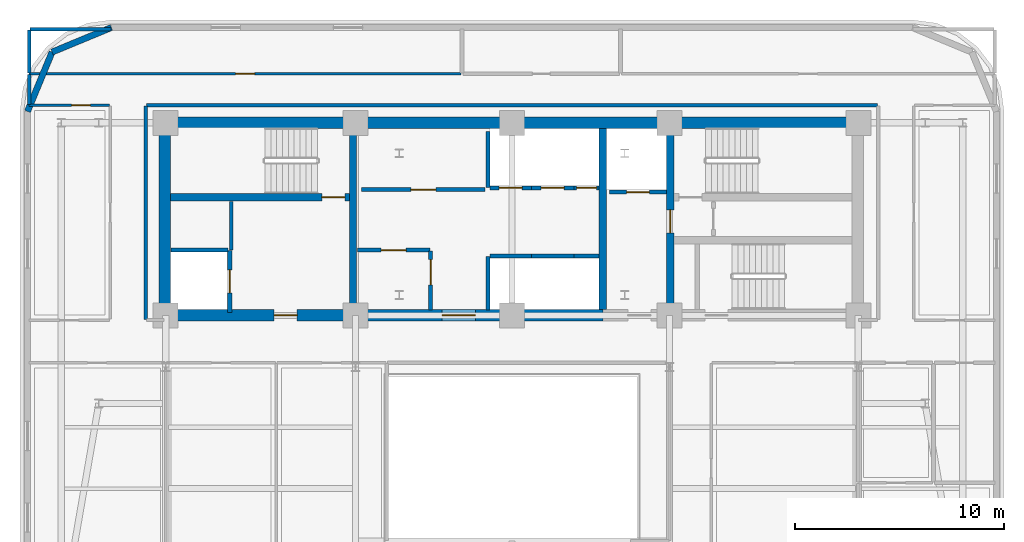
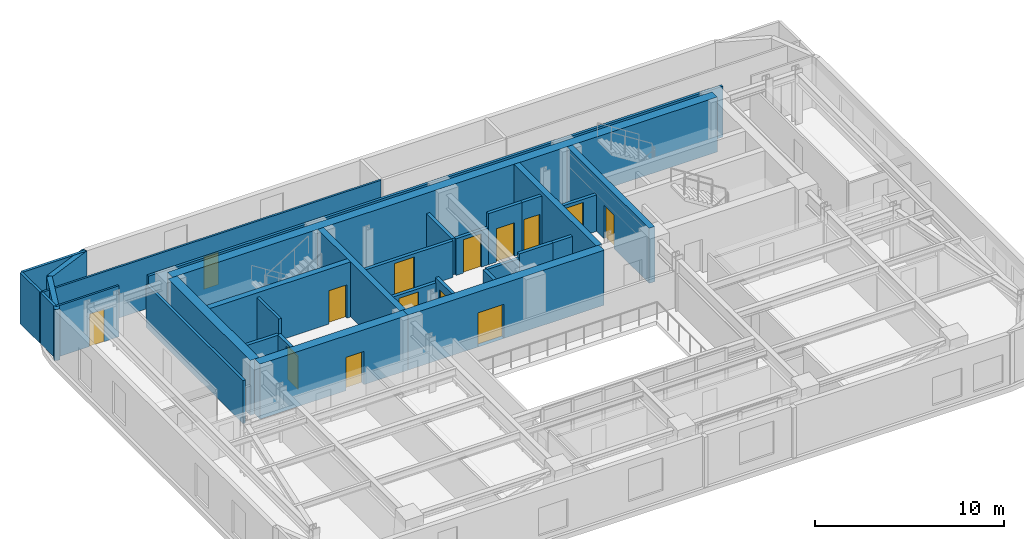
# One storey, part 7 of 12: 32 walls, 14 doors, 14 openings.
"""IFC4 building model written with IfcOpenShell, lengths in metres."""

from ifc_helpers import new_model, si_unit, direction, frame, frame_2d, origin, place, context, subcontext, project, spatial, rectangle, extrude, material, layer, layer_set, type_object, element, fill, save


model = new_model("IFC4")

# Units and contexts
model_context = context("Model", 3, precision=1e-05, world=origin(), true_north=direction((0.0, 1.0)))
body_context = subcontext(model_context, "Body", "Model", "MODEL_VIEW")
ifc_project = project(units=[si_unit("LENGTHUNIT", "METRE"), si_unit("AREAUNIT", "SQUARE_METRE"), si_unit("VOLUMEUNIT", "CUBIC_METRE"), si_unit("PLANEANGLEUNIT", "RADIAN"), si_unit("MASSUNIT", "GRAM", prefix="KILO")], contexts=[model_context])

# Site, building, storey
site_placement = place(None, origin())
site = spatial("IfcSite", under=ifc_project, at=site_placement, CompositionType="ELEMENT")
building_placement = place(site_placement, origin())
building = spatial("IfcBuilding", under=site, at=building_placement, Name="Zarnavel Station Tower", CompositionType="ELEMENT")
storey_placement = place(building_placement, frame((0.0, 0.0, 155.449951171875)))
storey = spatial("IfcBuildingStorey", under=building, at=storey_placement, Name="L42", CompositionType="ELEMENT", Elevation=155.449951171875)

# Walls
ifc_material_1 = material(Name="Concrete C50/60", Category="concrete")
ifc_layer_1 = layer(ifc_material_1, 0.35009765625)
ifc_layer_set_1 = layer_set([ifc_layer_1], Name="CW_350")
wall_type_1 = type_object("IfcWallType", Name="CW_350", PredefinedType="SHEAR", material=ifc_layer_set_1)
for number, where, z_axis, x_axis, name in (
    (1, (21.179931640625, 28.094970703125, 0.0), (0.0, 0.0, 1.0), (0.0, 1.0, 0.0), "L42 Rear Core Shear Wall DIV-W"),
    (2, (33.14990234375, 28.094970703125, 0.0), (0.0, 0.0, 1.0), (0.0, 1.0, 0.0), "L42 Rear Core Shear Wall DIV-E"),
):
    element("IfcWall", number, at=place(storey_placement, frame(where, z_axis=z_axis, x_axis=x_axis)), inside=storey, type_object=wall_type_1, Name=name, PredefinedType="SHEAR", context=body_context, shape_type="SweptSolid", body=[
        extrude(rectangle(XDim=8.679931640625, YDim=0.35009765625, at=frame_2d((4.33984375, 0.0))), origin(), (0.0, 0.0, 1.0), 3.550048828125),
    ])

# Wall, opening, door
wall_1_placement = place(storey_placement, frame((36.3798828125, 28.094970703125, 0.0), z_axis=(0.0, 0.0, 1.0), x_axis=(0.0, 1.0, 0.0)))
wall_1 = element("IfcWall", 3, at=wall_1_placement, inside=storey, type_object=wall_type_1, Name="L42 Rear Core Shear Wall DIV-S2", PredefinedType="SHEAR", context=body_context, shape_type="SweptSolid", body=[
    extrude(rectangle(XDim=8.679931640625, YDim=0.35009765625, at=frame_2d((4.33984375, 0.0))), origin(), (0.0, 0.0, 1.0), 3.550048828125),
])
opening_1_placement = place(wall_1_placement, frame((3.68505859375, 0.0, 0.0)))
opening_1 = element("IfcOpeningElement", 4, at=opening_1_placement, cuts=wall_1, Name="Opening FD01", PredefinedType="OPENING", context=body_context, shape_type="SweptSolid", body=[
    extrude(rectangle(XDim=1.10009765625, YDim=2.14990234375, at=frame_2d((0.550048828125, 1.074951171875))), frame((0.0, 0.18505859375, 0.0), z_axis=(0.0, -1.0, 0.0), x_axis=(1.0, 0.0, 0.0)), (0.0, 0.0, 1.0), 0.3701171875),
])
ifc_material_2 = material(Name="Painted Galvanised Steel and Hardwood Leaf", Category="steel")
door_type_1 = type_object("IfcDoorType", Name="ID_STAIR_1100", OperationType="NOTDEFINED", PredefinedType="DOOR", material=ifc_material_2)
door_1_placement = place(opening_1_placement, origin())
door_1 = element("IfcDoor", 5, at=door_1_placement, inside=storey, type_object=door_type_1, Name="L42 East Stair Vestibule Fire Door", OperationType="SINGLE_SWING_LEFT", OverallHeight=2.14990234375, OverallWidth=1.10009765625, PredefinedType="DOOR", context=body_context, shape_type="SweptSolid", body=[
    extrude(rectangle(XDim=1.10009765625, YDim=2.14990234375, at=frame_2d((0.550048828125, 1.074951171875))), frame((0.0, 0.02490234375, 0.0), z_axis=(0.0, -1.0, 0.0), x_axis=(1.0, 0.0, 0.0)), (0.0, 0.0, 1.0), 0.050048828125),
])
fill(opening_1, door_1)

wall_2_placement = place(storey_placement, frame((21.0048828125, 33.47998046875, 0.0), z_axis=(0.0, 0.0, 1.0), x_axis=(-1.0, 0.0, 0.0)))
wall_2 = element("IfcWall", 6, at=wall_2_placement, inside=storey, type_object=wall_type_1, Name="L42 Rear Core Shear Wall DIV-H1", PredefinedType="SHEAR", context=body_context, shape_type="SweptSolid", body=[
    extrude(rectangle(XDim=8.579833984375, YDim=0.35009765625, at=frame_2d((4.2900390625, 0.0))), origin(), (0.0, 0.0, 1.0), 3.550048828125),
])
opening_2_placement = place(wall_2_placement, frame((0.219970703125, 0.0, 0.0)))
opening_2 = element("IfcOpeningElement", 7, at=opening_2_placement, cuts=wall_2, Name="Opening FD01", PredefinedType="OPENING", context=body_context, shape_type="SweptSolid", body=[
    extrude(rectangle(XDim=1.10009765625, YDim=2.14990234375, at=frame_2d((0.550048828125, 1.074951171875))), frame((0.0, 0.18505859375, 0.0), z_axis=(0.0, -1.0, 0.0), x_axis=(1.0, 0.0, 0.0)), (0.0, 0.0, 1.0), 0.3701171875),
])
door_2_placement = place(opening_2_placement, origin())
door_2 = element("IfcDoor", 8, at=door_2_placement, inside=storey, type_object=door_type_1, Name="L42 Stair ST1 Lobby Fire Door", OperationType="SINGLE_SWING_LEFT", OverallHeight=2.14990234375, OverallWidth=1.10009765625, PredefinedType="DOOR", context=body_context, shape_type="SweptSolid", body=[
    extrude(rectangle(XDim=1.10009765625, YDim=2.14990234375, at=frame_2d((0.550048828125, 1.074951171875))), frame((0.0, 0.02490234375, 0.0), z_axis=(0.0, -1.0, 0.0), x_axis=(1.0, 0.0, 0.0)), (0.0, 0.0, 1.0), 0.050048828125),
])
fill(opening_2, door_2)

# Wall
ifc_material_3 = material(Name="Concrete C50/60", Category="concrete")
ifc_layer_2 = layer(ifc_material_3, 0.550048828125)
ifc_layer_set_2 = layer_set([ifc_layer_2], Name="CW_550")
wall_type_2 = type_object("IfcWallType", Name="CW_550", PredefinedType="SHEAR", material=ifc_layer_set_2)
wall_3_placement = place(storey_placement, frame((12.14990234375, 37.050048828125, 0.0), z_axis=(0.0, 0.0, 1.0), x_axis=(1.0, 0.0, 0.0)))
element("IfcWall", 9, at=wall_3_placement, inside=storey, type_object=wall_type_2, Name="L42 Rear Core Shear Wall N", PredefinedType="SHEAR", context=body_context, shape_type="SweptSolid", body=[
    extrude(rectangle(XDim=33.22998046875, YDim=0.550048828125, at=frame_2d((16.614990234375, 0.0))), origin(), (0.0, 0.0, 1.0), 3.550048828125),
])

# Wall, opening, door
wall_4_placement = place(storey_placement, frame((21.179931640625, 27.820068359375, 0.0), z_axis=(0.0, 0.0, 1.0), x_axis=(-1.0, 0.0, 0.0)))
wall_4 = element("IfcWall", 10, at=wall_4_placement, inside=storey, type_object=wall_type_2, Name="L42 Rear Core Shear Wall S-W", PredefinedType="SHEAR", context=body_context, shape_type="SweptSolid", body=[
    extrude(rectangle(XDim=9.030029296875, YDim=0.550048828125, at=frame_2d((4.51513671875, 0.0))), origin(), (0.0, 0.0, 1.0), 3.550048828125),
])
opening_3_placement = place(wall_4_placement, frame((2.679931640625, 0.0, 0.0)))
opening_3 = element("IfcOpeningElement", 11, at=opening_3_placement, cuts=wall_4, Name="Opening FD01", PredefinedType="OPENING", context=body_context, shape_type="SweptSolid", body=[
    extrude(rectangle(XDim=1.10009765625, YDim=2.14990234375, at=frame_2d((0.550048828125, 1.074951171875))), frame((0.0, 0.284912109375, 0.0), z_axis=(0.0, -1.0, 0.0), x_axis=(1.0, 0.0, 0.0)), (0.0, 0.0, 1.0), 0.570068359375),
])
door_3_placement = place(opening_3_placement, origin())
door_3 = element("IfcDoor", 12, at=door_3_placement, inside=storey, type_object=door_type_1, Name="L42 West Firefighting Lobby Door", OperationType="SINGLE_SWING_RIGHT", OverallHeight=2.14990234375, OverallWidth=1.10009765625, PredefinedType="DOOR", context=body_context, shape_type="SweptSolid", body=[
    extrude(rectangle(XDim=1.10009765625, YDim=2.14990234375, at=frame_2d((0.550048828125, 1.074951171875))), frame((0.0, 0.02490234375, 0.0), z_axis=(0.0, -1.0, 0.0), x_axis=(1.0, 0.0, 0.0)), (0.0, 0.0, 1.0), 0.050048828125),
])
fill(opening_3, door_3)

wall_5_placement = place(storey_placement, frame((33.14990234375, 27.820068359375, 0.0), z_axis=(0.0, 0.0, 1.0), x_axis=(-1.0, 0.0, 0.0)))
wall_5 = element("IfcWall", 13, at=wall_5_placement, inside=storey, type_object=wall_type_2, Name="L42 Rear Core Shear Wall S-M", PredefinedType="SHEAR", context=body_context, shape_type="SweptSolid", body=[
    extrude(rectangle(XDim=11.969970703125, YDim=0.550048828125, at=frame_2d((5.98486328125, 0.0))), origin(), (0.0, 0.0, 1.0), 3.550048828125),
])
opening_4_placement = place(wall_5_placement, frame((6.10009765625, 0.0, 0.0)))
opening_4 = element("IfcOpeningElement", 14, at=opening_4_placement, cuts=wall_5, Name="Opening ID03", PredefinedType="OPENING", context=body_context, shape_type="SweptSolid", body=[
    extrude(rectangle(XDim=1.60009765625, YDim=2.199951171875, at=frame_2d((0.800048828125, 1.10009765625))), frame((0.0, 0.284912109375, 0.0), z_axis=(0.0, -1.0, 0.0), x_axis=(1.0, 0.0, 0.0)), (0.0, 0.0, 1.0), 0.570068359375),
])
ifc_material_4 = material(Name="Painted Galvanised Steel and Hardwood Leaf", Category="steel")
door_type_2 = type_object("IfcDoorType", Name="ID_PUBLIC_1600", OperationType="DOUBLE_DOOR_SINGLE_SWING", PredefinedType="DOOR", material=ifc_material_4)
door_4_placement = place(opening_4_placement, origin())
door_4 = element("IfcDoor", 15, at=door_4_placement, inside=storey, type_object=door_type_2, Name="L42 Passenger Lift Lobby Double Door", OperationType="SINGLE_SWING_LEFT", OverallHeight=2.199951171875, OverallWidth=1.60009765625, PredefinedType="DOOR", context=body_context, shape_type="SweptSolid", body=[
    extrude(rectangle(XDim=1.60009765625, YDim=2.199951171875, at=frame_2d((0.800048828125, 1.10009765625))), frame((0.0, 0.02490234375, 0.0), z_axis=(0.0, -1.0, 0.0), x_axis=(1.0, 0.0, 0.0)), (0.0, 0.0, 1.0), 0.050048828125),
])
fill(opening_4, door_4)

# Walls
wall_6_placement = place(storey_placement, frame((12.14990234375, 28.094970703125, 0.0), z_axis=(0.0, 0.0, 1.0), x_axis=(0.0, 1.0, 0.0)))
element("IfcWall", 16, at=wall_6_placement, inside=storey, type_object=wall_type_2, Name="L42 Rear Core Shear Wall W", PredefinedType="SHEAR", context=body_context, shape_type="SweptSolid", body=[
    extrude(rectangle(XDim=8.679931640625, YDim=0.550048828125, at=frame_2d((4.33984375, 0.0))), origin(), (0.0, 0.0, 1.0), 3.550048828125),
])
ifc_material_5 = material(Name="Precast concrete C45/55 (Dark Basalt Finish)", Category="masonry")
ifc_layer_3 = layer(ifc_material_5, 0.300048828125)
ifc_layer_set_3 = layer_set([ifc_layer_3], Name="EW_BASALT_300")
wall_type_3 = type_object("IfcWallType", Name="EW_BASALT_300", PredefinedType="SOLIDWALL", material=ifc_layer_set_3)
wall_7_placement = place(storey_placement, frame((6.75732421875, 40.442626953125, 0.0), z_axis=(0.0, 0.0, 1.0), x_axis=(0.923882414032, 0.382676475685, 0.0)))
element("IfcWall", 17, at=wall_7_placement, inside=storey, type_object=wall_type_3, Name="L42 Exterior Basalt Masonry Frame Wall 07", PredefinedType="SOLIDWALL", context=body_context, shape_type="SweptSolid", body=[
    extrude(rectangle(XDim=3.076904296875, YDim=0.300048828125, at=frame_2d((1.53857421875, 0.0))), origin(), (0.0, 0.0, 1.0), 3.2900390625),
])
wall_8_placement = place(storey_placement, frame((5.580078125, 37.60009765625, 0.0), z_axis=(0.0, 0.0, 1.0), x_axis=(0.382636798336, 0.92389884758, 0.0)))
element("IfcWall", 18, at=wall_8_placement, inside=storey, type_object=wall_type_3, Name="L42 Exterior Basalt Masonry Frame Wall 08", PredefinedType="SOLIDWALL", context=body_context, shape_type="SweptSolid", body=[
    extrude(rectangle(XDim=3.07666015625, YDim=0.300048828125, at=frame_2d((1.538330078125, 0.0))), origin(), (0.0, 0.0, 1.0), 3.2900390625),
])
ifc_material_6 = material(Name="Gypsum Twin-Stud Acoustic Fire Partition", Category="concrete")
ifc_layer_4 = layer(ifc_material_6, 0.159912109375)
ifc_layer_set_4 = layer_set([ifc_layer_4], Name="PT_DEMISE_160")
wall_type_4 = type_object("IfcWallType", Name="PT_DEMISE_160", PredefinedType="PARTITIONING", material=ifc_layer_set_4)
wall_9_placement = place(storey_placement, frame((15.35009765625, 30.9599609375, 0.0), z_axis=(0.0, 0.0, 1.0), x_axis=(0.0, 1.0, 0.0)))
element("IfcWall", 19, at=wall_9_placement, inside=storey, type_object=wall_type_4, Name="L42 Enclosure Wall FFL1", PredefinedType="PARTITIONING", context=body_context, shape_type="SweptSolid", body=[
    extrude(rectangle(XDim=2.31005859375, YDim=0.159912109375, at=frame_2d((1.155029296875, 0.0))), origin(), (0.0, 0.0, 1.0), 3.2900390625),
])
wall_10_placement = place(storey_placement, frame((11.25, 27.6298828125, 0.0), z_axis=(0.0, 0.0, 1.0), x_axis=(0.0, 1.0, 0.0)))
element("IfcWall", 20, at=wall_10_placement, inside=storey, type_object=wall_type_4, Name="L42 Enclosure Wall COR-W", PredefinedType="PARTITIONING", context=body_context, shape_type="SweptSolid", body=[
    extrude(rectangle(XDim=10.240234375, YDim=0.159912109375, at=frame_2d((5.1201171875, 0.0))), origin(), (0.0, 0.0, 1.0), 2.77001953125),
])
wall_11_placement = place(storey_placement, frame((11.280029296875, 37.89990234375, 0.0), z_axis=(0.0, 0.0, 1.0), x_axis=(1.0, 0.0, 0.0)))
element("IfcWall", 21, at=wall_11_placement, inside=storey, type_object=wall_type_4, Name="L42 Enclosure Wall COR-N", PredefinedType="PARTITIONING", context=body_context, shape_type="SweptSolid", body=[
    extrude(rectangle(XDim=35.0400390625, YDim=0.159912109375, at=frame_2d((17.52001953125, 0.0))), origin(), (0.0, 0.0, 1.0), 3.2900390625),
])
wall_12_placement = place(storey_placement, frame((5.659912109375, 37.929931640625, 0.0), z_axis=(0.0, 0.0, 1.0), x_axis=(0.0, 1.0, 0.0)))
element("IfcWall", 22, at=wall_12_placement, inside=storey, type_object=wall_type_4, Name="L42 Enclosure Wall COR-N", PredefinedType="PARTITIONING", context=body_context, shape_type="SweptSolid", body=[
    extrude(rectangle(XDim=1.440185546875, YDim=0.159912109375, at=frame_2d((0.72021484375, 0.0))), origin(), (0.0, 0.0, 1.0), 3.2900390625),
])
wall_13_placement = place(storey_placement, frame((5.68994140625, 41.5400390625, 0.0), z_axis=(0.0, 0.0, 1.0), x_axis=(1.0, 0.0, 0.0)))
element("IfcWall", 23, at=wall_13_placement, inside=storey, type_object=wall_type_4, Name="L42 Enclosure Wall NSTD", PredefinedType="PARTITIONING", context=body_context, shape_type="SweptSolid", body=[
    extrude(rectangle(XDim=3.880126953125, YDim=0.159912109375, at=frame_2d((1.93994140625, 0.0))), origin(), (0.0, 0.0, 1.0), 3.2900390625),
])
wall_14_placement = place(storey_placement, frame((5.659912109375, 39.429931640625, 0.0), z_axis=(0.0, 0.0, 1.0), x_axis=(0.0, 1.0, 0.0)))
element("IfcWall", 24, at=wall_14_placement, inside=storey, type_object=wall_type_4, Name="L42 Enclosure Wall NSTD", PredefinedType="PARTITIONING", context=body_context, shape_type="SweptSolid", body=[
    extrude(rectangle(XDim=2.080078125, YDim=0.159912109375, at=frame_2d((1.0400390625, 0.0))), origin(), (0.0, 0.0, 1.0), 3.2900390625),
])

# Wall, opening, door
ifc_material_7 = material(Name="Gypsum Metal-Stud Interior Partition", Category="concrete")
ifc_layer_5 = layer(ifc_material_7, 0.1201171875)
ifc_layer_set_5 = layer_set([ifc_layer_5], Name="PT_ROOM_120")
wall_type_5 = type_object("IfcWallType", Name="PT_ROOM_120", PredefinedType="PARTITIONING", material=ifc_layer_set_5)
wall_15_placement = place(storey_placement, frame((5.659912109375, 37.89990234375, 0.0), z_axis=(0.0, 0.0, 1.0), x_axis=(1.0, 0.0, 0.0)))
wall_15 = element("IfcWall", 25, at=wall_15_placement, inside=storey, type_object=wall_type_5, Name="L42 Partition COR-N-FNW", PredefinedType="PARTITIONING", context=body_context, shape_type="SweptSolid", body=[
    extrude(rectangle(XDim=3.85009765625, YDim=0.1201171875, at=frame_2d((1.925048828125, 0.0))), origin(), (0.0, 0.0, 1.0), 3.2900390625),
])
opening_5_placement = place(wall_15_placement, frame((2.03125, 0.0, 0.0)))
opening_5 = element("IfcOpeningElement", 26, at=opening_5_placement, cuts=wall_15, Name="Opening ID01", PredefinedType="OPENING", context=body_context, shape_type="SweptSolid", body=[
    extrude(rectangle(XDim=0.89990234375, YDim=2.10009765625, at=frame_2d((0.449951171875, 1.050048828125))), frame((0.0, 0.070068359375, 0.0), z_axis=(0.0, -1.0, 0.0), x_axis=(1.0, 0.0, 0.0)), (0.0, 0.0, 1.0), 0.14013671875),
])
ifc_material_8 = material(Name="Painted Galvanised Steel and Hardwood Leaf", Category="steel")
door_type_3 = type_object("IfcDoorType", Name="ID_ROOM_900", OperationType="NOTDEFINED", PredefinedType="DOOR", material=ifc_material_8)
door_5_placement = place(opening_5_placement, origin())
door_5 = element("IfcDoor", 27, at=door_5_placement, inside=storey, type_object=door_type_3, Name="L42 Door COR-N-FNW", OperationType="SINGLE_SWING_RIGHT", OverallHeight=2.10009765625, OverallWidth=0.89990234375, PredefinedType="DOOR", context=body_context, shape_type="SweptSolid", body=[
    extrude(rectangle(XDim=0.89990234375, YDim=2.10009765625, at=frame_2d((0.449951171875, 1.050048828125))), frame((0.0, 0.02490234375, 0.0), z_axis=(0.0, -1.0, 0.0), x_axis=(1.0, 0.0, 0.0)), (0.0, 0.0, 1.0), 0.050048828125),
])
fill(opening_5, door_5)

wall_16_placement = place(storey_placement, frame((5.659912109375, 39.39990234375, 0.0), z_axis=(0.0, 0.0, 1.0), x_axis=(1.0, 0.0, 0.0)))
wall_16 = element("IfcWall", 28, at=wall_16_placement, inside=storey, type_object=wall_type_5, Name="L42 Partition COR-N-NSTD", PredefinedType="PARTITIONING", context=body_context, shape_type="SweptSolid", body=[
    extrude(rectangle(XDim=20.7001953125, YDim=0.1201171875, at=frame_2d((10.35009765625, 0.0))), origin(), (0.0, 0.0, 1.0), 3.2900390625),
])
opening_6_placement = place(wall_16_placement, frame((9.89990234375, 0.0, 0.0)))
opening_6 = element("IfcOpeningElement", 29, at=opening_6_placement, cuts=wall_16, Name="Opening ID01", PredefinedType="OPENING", context=body_context, shape_type="SweptSolid", body=[
    extrude(rectangle(XDim=0.89990234375, YDim=2.10009765625, at=frame_2d((0.449951171875, 1.050048828125))), frame((0.0, 0.070068359375, 0.0), z_axis=(0.0, -1.0, 0.0), x_axis=(1.0, 0.0, 0.0)), (0.0, 0.0, 1.0), 0.14013671875),
])
door_6_placement = place(opening_6_placement, origin())
door_6 = element("IfcDoor", 30, at=door_6_placement, inside=storey, type_object=door_type_3, Name="L42 Door COR-N-NSTD", OperationType="SINGLE_SWING_RIGHT", OverallHeight=2.10009765625, OverallWidth=0.89990234375, PredefinedType="DOOR", context=body_context, shape_type="SweptSolid", body=[
    extrude(rectangle(XDim=0.89990234375, YDim=2.10009765625, at=frame_2d((0.449951171875, 1.050048828125))), frame((0.0, 0.02490234375, 0.0), z_axis=(0.0, -1.0, 0.0), x_axis=(1.0, 0.0, 0.0)), (0.0, 0.0, 1.0), 0.050048828125),
])
fill(opening_6, door_6)

ifc_material_9 = material(Name="Precast concrete C45/55 (Fire Shaft Blockwork)", Category="masonry")
ifc_layer_6 = layer(ifc_material_9, 0.199951171875)
ifc_layer_set_6 = layer_set([ifc_layer_6], Name="PT_SHAFT_200")
wall_type_6 = type_object("IfcWallType", Name="PT_SHAFT_200", PredefinedType="PARTITIONING", material=ifc_layer_set_6)
wall_17_placement = place(storey_placement, frame((15.27001953125, 27.969970703125, 0.0), z_axis=(0.0, 0.0, 1.0), x_axis=(0.0, 1.0, 0.0)))
wall_17 = element("IfcWall", 31, at=wall_17_placement, inside=storey, type_object=wall_type_6, Name="L42 Lift FFL-01 Shaft Front Wall", PredefinedType="PARTITIONING", context=body_context, shape_type="SweptSolid", body=[
    extrude(rectangle(XDim=2.9599609375, YDim=0.199951171875, at=frame_2d((1.47998046875, 0.0))), origin(), (0.0, 0.0, 1.0), 2.360107421875),
])
opening_7_placement = place(wall_17_placement, frame((0.929931640625, 0.0, 0.0)))
opening_7 = element("IfcOpeningElement", 32, at=opening_7_placement, cuts=wall_17, Name="Opening LD01", PredefinedType="OPENING", context=body_context, shape_type="SweptSolid", body=[
    extrude(rectangle(XDim=1.10009765625, YDim=2.14990234375, at=frame_2d((0.550048828125, 1.074951171875))), frame((0.0, 0.10986328125, 0.0), z_axis=(0.0, -1.0, 0.0), x_axis=(1.0, 0.0, 0.0)), (0.0, 0.0, 1.0), 0.219970703125),
])
ifc_material_10 = material(Name="Painted Galvanised Steel and Hardwood Leaf", Category="steel")
door_type_4 = type_object("IfcDoorType", Name="LD_FF_1100", OperationType="DOUBLE_DOOR_SLIDING", PredefinedType="DOOR", material=ifc_material_10)
door_7_placement = place(opening_7_placement, origin())
door_7 = element("IfcDoor", 33, at=door_7_placement, inside=storey, type_object=door_type_4, Name="L42 Lift FFL-01 Sliding Landing Door", OperationType="DOUBLE_DOOR_SLIDING", OverallHeight=2.14990234375, OverallWidth=1.10009765625, PredefinedType="DOOR", context=body_context, shape_type="SweptSolid", body=[
    extrude(rectangle(XDim=1.10009765625, YDim=2.14990234375, at=frame_2d((0.550048828125, 1.074951171875))), frame((0.0, 0.02490234375, 0.0), z_axis=(0.0, -1.0, 0.0), x_axis=(1.0, 0.0, 0.0)), (0.0, 0.0, 1.0), 0.050048828125),
])
fill(opening_7, door_7)

# Wall
wall_18_placement = place(storey_placement, frame((12.449951171875, 30.949951171875, 0.0), z_axis=(0.0, 0.0, 1.0), x_axis=(1.0, 0.0, 0.0)))
element("IfcWall", 34, at=wall_18_placement, inside=storey, type_object=wall_type_6, Name="L42 Lift FFL-01 North Shaft Wall", PredefinedType="PARTITIONING", context=body_context, shape_type="SweptSolid", body=[
    extrude(rectangle(XDim=2.75, YDim=0.199951171875, at=frame_2d((1.375, 0.0))), origin(), (0.0, 0.0, 1.0), 2.360107421875),
])

# Wall, opening, door
wall_19_placement = place(storey_placement, frame((33.47509765625, 33.72998046875, 0.0), z_axis=(0.0, 0.0, 1.0), x_axis=(1.0, 0.0, 0.0)))
wall_19 = element("IfcWall", 35, at=wall_19_placement, inside=storey, type_object=wall_type_6, Name="L42 Lift FFL-02 Shaft Front Wall", PredefinedType="PARTITIONING", context=body_context, shape_type="SweptSolid", body=[
    extrude(rectangle(XDim=2.724853515625, YDim=0.199951171875, at=frame_2d((1.3623046875, 0.0))), origin(), (0.0, 0.0, 1.0), 2.360107421875),
])
opening_8_placement = place(wall_19_placement, frame((0.8125, 0.0, 0.0)))
opening_8 = element("IfcOpeningElement", 36, at=opening_8_placement, cuts=wall_19, Name="Opening LD01", PredefinedType="OPENING", context=body_context, shape_type="SweptSolid", body=[
    extrude(rectangle(XDim=1.10009765625, YDim=2.14990234375, at=frame_2d((0.550048828125, 1.074951171875))), frame((0.0, 0.10986328125, 0.0), z_axis=(0.0, -1.0, 0.0), x_axis=(1.0, 0.0, 0.0)), (0.0, 0.0, 1.0), 0.219970703125),
])
door_8_placement = place(opening_8_placement, origin())
door_8 = element("IfcDoor", 37, at=door_8_placement, inside=storey, type_object=door_type_4, Name="L42 Lift FFL-02 Sliding Landing Door", OperationType="DOUBLE_DOOR_SLIDING", OverallHeight=2.14990234375, OverallWidth=1.10009765625, PredefinedType="DOOR", context=body_context, shape_type="SweptSolid", body=[
    extrude(rectangle(XDim=1.10009765625, YDim=2.14990234375, at=frame_2d((0.550048828125, 1.074951171875))), frame((0.0, 0.02490234375, 0.0), z_axis=(0.0, -1.0, 0.0), x_axis=(1.0, 0.0, 0.0)), (0.0, 0.0, 1.0), 0.050048828125),
])
fill(opening_8, door_8)

# Walls
wall_20_placement = place(storey_placement, frame((27.75, 30.669921875, 0.0), z_axis=(0.0, 0.0, 1.0), x_axis=(1.0, 0.0, 0.0)))
element("IfcWall", 38, at=wall_20_placement, inside=storey, type_object=wall_type_6, Name="L42 Lift PL-H1 Shaft Front Wall", PredefinedType="PARTITIONING", context=body_context, shape_type="SweptSolid", body=[
    extrude(rectangle(XDim=1.97509765625, YDim=0.199951171875, at=frame_2d((0.987548828125, 0.0))), origin(), (0.0, 0.0, 1.0), 2.360107421875),
])
wall_21_placement = place(storey_placement, frame((27.64990234375, 28.070068359375, 0.0), z_axis=(0.0, 0.0, 1.0), x_axis=(0.0, 1.0, 0.0)))
element("IfcWall", 39, at=wall_21_placement, inside=storey, type_object=wall_type_6, Name="L42 High-Rise Lift Bank West Shaft Wall", PredefinedType="PARTITIONING", context=body_context, shape_type="SweptSolid", body=[
    extrude(rectangle(XDim=2.579833984375, YDim=0.199951171875, at=frame_2d((1.2900390625, 0.0))), origin(), (0.0, 0.0, 1.0), 2.360107421875),
])
wall_22_placement = place(storey_placement, frame((29.72509765625, 30.669921875, 0.0), z_axis=(0.0, 0.0, 1.0), x_axis=(1.0, 0.0, 0.0)))
element("IfcWall", 40, at=wall_22_placement, inside=storey, type_object=wall_type_6, Name="L42 Lift PL-H2 Shaft Front Wall", PredefinedType="PARTITIONING", context=body_context, shape_type="SweptSolid", body=[
    extrude(rectangle(XDim=2.0498046875, YDim=0.199951171875, at=frame_2d((1.02490234375, 0.0))), origin(), (0.0, 0.0, 1.0), 2.670166015625),
])
wall_23_placement = place(storey_placement, frame((31.77490234375, 30.669921875, 0.0), z_axis=(0.0, 0.0, 1.0), x_axis=(1.0, 0.0, 0.0)))
element("IfcWall", 41, at=wall_23_placement, inside=storey, type_object=wall_type_6, Name="L42 Lift PL-H3 Shaft Front Wall", PredefinedType="PARTITIONING", context=body_context, shape_type="SweptSolid", body=[
    extrude(rectangle(XDim=1.2001953125, YDim=0.199951171875, at=frame_2d((0.60009765625, 0.0))), origin(), (0.0, 0.0, 1.0), 2.670166015625),
])

# Wall, opening, door
wall_24_placement = place(storey_placement, frame((27.75, 33.929931640625, 0.0), z_axis=(0.0, 0.0, 1.0), x_axis=(1.0, 0.0, 0.0)))
wall_24 = element("IfcWall", 42, at=wall_24_placement, inside=storey, type_object=wall_type_6, Name="L42 Lift PL-M1 Shaft Front Wall", PredefinedType="PARTITIONING", context=body_context, shape_type="SweptSolid", body=[
    extrude(rectangle(XDim=1.97509765625, YDim=0.199951171875, at=frame_2d((0.987548828125, 0.0))), origin(), (0.0, 0.0, 1.0), 2.360107421875),
])
opening_9_placement = place(wall_24_placement, frame((0.4375, 0.0, 0.0)))
opening_9 = element("IfcOpeningElement", 43, at=opening_9_placement, cuts=wall_24, Name="Opening LD02", PredefinedType="OPENING", context=body_context, shape_type="SweptSolid", body=[
    extrude(rectangle(XDim=1.10009765625, YDim=2.14990234375, at=frame_2d((0.550048828125, 1.074951171875))), frame((0.0, 0.10986328125, 0.0), z_axis=(0.0, -1.0, 0.0), x_axis=(1.0, 0.0, 0.0)), (0.0, 0.0, 1.0), 0.219970703125),
])
ifc_material_11 = material(Name="Painted Galvanised Steel and Hardwood Leaf", Category="steel")
door_type_5 = type_object("IfcDoorType", Name="LD_PAX_1100", OperationType="DOUBLE_DOOR_SLIDING", PredefinedType="DOOR", material=ifc_material_11)
door_9_placement = place(opening_9_placement, origin())
door_9 = element("IfcDoor", 44, at=door_9_placement, inside=storey, type_object=door_type_5, Name="L42 Lift PL-M1 Sliding Landing Door", OperationType="DOUBLE_DOOR_SLIDING", OverallHeight=2.14990234375, OverallWidth=1.10009765625, PredefinedType="DOOR", context=body_context, shape_type="SweptSolid", body=[
    extrude(rectangle(XDim=1.10009765625, YDim=2.14990234375, at=frame_2d((0.550048828125, 1.074951171875))), frame((0.0, 0.02490234375, 0.0), z_axis=(0.0, -1.0, 0.0), x_axis=(1.0, 0.0, 0.0)), (0.0, 0.0, 1.0), 0.050048828125),
])
fill(opening_9, door_9)

# Wall
wall_25_placement = place(storey_placement, frame((27.64990234375, 33.949951171875, 0.0), z_axis=(0.0, 0.0, 1.0), x_axis=(0.0, 1.0, 0.0)))
element("IfcWall", 45, at=wall_25_placement, inside=storey, type_object=wall_type_6, Name="L42 Mid-Rise Lift Bank West Shaft Wall", PredefinedType="PARTITIONING", context=body_context, shape_type="SweptSolid", body=[
    extrude(rectangle(XDim=2.679931640625, YDim=0.199951171875, at=frame_2d((1.33984375, 0.0))), origin(), (0.0, 0.0, 1.0), 2.360107421875),
])

# Wall, opening, door
wall_26_placement = place(storey_placement, frame((29.72509765625, 33.929931640625, 0.0), z_axis=(0.0, 0.0, 1.0), x_axis=(1.0, 0.0, 0.0)))
wall_26 = element("IfcWall", 46, at=wall_26_placement, inside=storey, type_object=wall_type_6, Name="L42 Lift PL-M2 Shaft Front Wall", PredefinedType="PARTITIONING", context=body_context, shape_type="SweptSolid", body=[
    extrude(rectangle(XDim=2.0498046875, YDim=0.199951171875, at=frame_2d((1.02490234375, 0.0))), origin(), (0.0, 0.0, 1.0), 3.2900390625),
])
opening_10_placement = place(wall_26_placement, frame((0.47509765625, 0.0, 0.0)))
opening_10 = element("IfcOpeningElement", 47, at=opening_10_placement, cuts=wall_26, Name="Opening LD02", PredefinedType="OPENING", context=body_context, shape_type="SweptSolid", body=[
    extrude(rectangle(XDim=1.10009765625, YDim=2.14990234375, at=frame_2d((0.550048828125, 1.074951171875))), frame((0.0, 0.10986328125, 0.0), z_axis=(0.0, -1.0, 0.0), x_axis=(1.0, 0.0, 0.0)), (0.0, 0.0, 1.0), 0.219970703125),
])
door_10_placement = place(opening_10_placement, origin())
door_10 = element("IfcDoor", 48, at=door_10_placement, inside=storey, type_object=door_type_5, Name="L42 Lift PL-M2 Sliding Landing Door", OperationType="DOUBLE_DOOR_SLIDING", OverallHeight=2.14990234375, OverallWidth=1.10009765625, PredefinedType="DOOR", context=body_context, shape_type="SweptSolid", body=[
    extrude(rectangle(XDim=1.10009765625, YDim=2.14990234375, at=frame_2d((0.550048828125, 1.074951171875))), frame((0.0, 0.02490234375, 0.0), z_axis=(0.0, -1.0, 0.0), x_axis=(1.0, 0.0, 0.0)), (0.0, 0.0, 1.0), 0.050048828125),
])
fill(opening_10, door_10)

wall_27_placement = place(storey_placement, frame((31.77490234375, 33.929931640625, 0.0), z_axis=(0.0, 0.0, 1.0), x_axis=(1.0, 0.0, 0.0)))
wall_27 = element("IfcWall", 49, at=wall_27_placement, inside=storey, type_object=wall_type_6, Name="L42 Lift PL-M3 Shaft Front Wall", PredefinedType="PARTITIONING", context=body_context, shape_type="SweptSolid", body=[
    extrude(rectangle(XDim=1.2001953125, YDim=0.199951171875, at=frame_2d((0.60009765625, 0.0))), origin(), (0.0, 0.0, 1.0), 3.2900390625),
])
opening_11_placement = place(wall_27_placement, frame((0.125, 0.0, 0.0)))
opening_11 = element("IfcOpeningElement", 50, at=opening_11_placement, cuts=wall_27, Name="Opening LD03", PredefinedType="OPENING", context=body_context, shape_type="SweptSolid", body=[
    extrude(rectangle(XDim=0.949951171875, YDim=2.14990234375, at=frame_2d((0.47509765625, 1.074951171875))), frame((0.0, 0.10986328125, 0.0), z_axis=(0.0, -1.0, 0.0), x_axis=(1.0, 0.0, 0.0)), (0.0, 0.0, 1.0), 0.219970703125),
])
ifc_material_12 = material(Name="Painted Galvanised Steel and Hardwood Leaf", Category="steel")
door_type_6 = type_object("IfcDoorType", Name="LD_PAX_0950", OperationType="DOUBLE_DOOR_SLIDING", PredefinedType="DOOR", material=ifc_material_12)
door_11_placement = place(opening_11_placement, origin())
door_11 = element("IfcDoor", 51, at=door_11_placement, inside=storey, type_object=door_type_6, Name="L42 Lift PL-M3 Sliding Landing Door", OperationType="DOUBLE_DOOR_SLIDING", OverallHeight=2.14990234375, OverallWidth=0.949951171875, PredefinedType="DOOR", context=body_context, shape_type="SweptSolid", body=[
    extrude(rectangle(XDim=0.949951171875, YDim=2.14990234375, at=frame_2d((0.47509765625, 1.074951171875))), frame((0.0, 0.02490234375, 0.0), z_axis=(0.0, -1.0, 0.0), x_axis=(1.0, 0.0, 0.0)), (0.0, 0.0, 1.0), 0.050048828125),
])
fill(opening_11, door_11)

wall_28_placement = place(storey_placement, frame((21.39990234375, 30.949951171875, 0.0), z_axis=(0.0, 0.0, 1.0), x_axis=(1.0, 0.0, 0.0)))
wall_28 = element("IfcWall", 52, at=wall_28_placement, inside=storey, type_object=wall_type_6, Name="L42 Partition LLOB-CS1", PredefinedType="PARTITIONING", context=body_context, shape_type="SweptSolid", body=[
    extrude(rectangle(XDim=3.460205078125, YDim=0.199951171875, at=frame_2d((1.72998046875, 0.0))), origin(), (0.0, 0.0, 1.0), 2.360107421875),
])
opening_12_placement = place(wall_28_placement, frame((1.1298828125, 0.0, 0.0)))
opening_12 = element("IfcOpeningElement", 53, at=opening_12_placement, cuts=wall_28, Name="Opening FD03", PredefinedType="OPENING", context=body_context, shape_type="SweptSolid", body=[
    extrude(rectangle(XDim=1.199951171875, YDim=2.14990234375, at=frame_2d((0.60009765625, 1.074951171875))), frame((0.0, 0.10986328125, 0.0), z_axis=(0.0, -1.0, 0.0), x_axis=(1.0, 0.0, 0.0)), (0.0, 0.0, 1.0), 0.219970703125),
])
ifc_material_13 = material(Name="Painted Galvanised Steel and Hardwood Leaf", Category="steel")
door_type_7 = type_object("IfcDoorType", Name="ID_PLANT_1200", OperationType="NOTDEFINED", PredefinedType="DOOR", material=ifc_material_13)
door_12_placement = place(opening_12_placement, origin())
door_12 = element("IfcDoor", 54, at=door_12_placement, inside=storey, type_object=door_type_7, Name="L42 Door LLOB-CS1", OperationType="SINGLE_SWING_LEFT", OverallHeight=2.14990234375, OverallWidth=1.199951171875, PredefinedType="DOOR", context=body_context, shape_type="SweptSolid", body=[
    extrude(rectangle(XDim=1.199951171875, YDim=2.14990234375, at=frame_2d((0.60009765625, 1.074951171875))), frame((0.0, 0.02490234375, 0.0), z_axis=(0.0, -1.0, 0.0), x_axis=(1.0, 0.0, 0.0)), (0.0, 0.0, 1.0), 0.050048828125),
])
fill(opening_12, door_12)

wall_29_placement = place(storey_placement, frame((21.590087890625, 33.85009765625, 0.0), z_axis=(0.0, 0.0, 1.0), x_axis=(1.0, 0.0, 0.0)))
wall_29 = element("IfcWall", 55, at=wall_29_placement, inside=storey, type_object=wall_type_6, Name="L42 Partition LLOB-FB1A", PredefinedType="PARTITIONING", context=body_context, shape_type="SweptSolid", body=[
    extrude(rectangle(XDim=5.919921875, YDim=0.199951171875, at=frame_2d((2.9599609375, 0.0))), origin(), (0.0, 0.0, 1.0), 2.360107421875),
])
opening_13_placement = place(wall_29_placement, frame((2.360107421875, 0.0, 0.0)))
opening_13 = element("IfcOpeningElement", 56, at=opening_13_placement, cuts=wall_29, Name="Opening FD03", PredefinedType="OPENING", context=body_context, shape_type="SweptSolid", body=[
    extrude(rectangle(XDim=1.199951171875, YDim=2.14990234375, at=frame_2d((0.60009765625, 1.074951171875))), frame((0.0, 0.10986328125, 0.0), z_axis=(0.0, -1.0, 0.0), x_axis=(1.0, 0.0, 0.0)), (0.0, 0.0, 1.0), 0.219970703125),
])
door_13_placement = place(opening_13_placement, origin())
door_13 = element("IfcDoor", 57, at=door_13_placement, inside=storey, type_object=door_type_7, Name="L42 Door LLOB-FB1A", OperationType="SINGLE_SWING_RIGHT", OverallHeight=2.14990234375, OverallWidth=1.199951171875, PredefinedType="DOOR", context=body_context, shape_type="SweptSolid", body=[
    extrude(rectangle(XDim=1.199951171875, YDim=2.14990234375, at=frame_2d((0.60009765625, 1.074951171875))), frame((0.0, 0.02490234375, 0.0), z_axis=(0.0, -1.0, 0.0), x_axis=(1.0, 0.0, 0.0)), (0.0, 0.0, 1.0), 0.050048828125),
])
fill(opening_13, door_13)

wall_30_placement = place(storey_placement, frame((24.89990234375, 30.909912109375, 0.0), z_axis=(0.0, 0.0, 1.0), x_axis=(0.0, -1.0, 0.0)))
wall_30 = element("IfcWall", 58, at=wall_30_placement, inside=storey, type_object=wall_type_6, Name="L42 Partition LLOBS-CS1", PredefinedType="PARTITIONING", context=body_context, shape_type="SweptSolid", body=[
    extrude(rectangle(XDim=2.81982421875, YDim=0.199951171875, at=frame_2d((1.409912109375, 0.0))), origin(), (0.0, 0.0, 1.0), 2.670166015625),
])
opening_14_placement = place(wall_30_placement, frame((0.419189453125, 0.0, 0.0)))
opening_14 = element("IfcOpeningElement", 59, at=opening_14_placement, cuts=wall_30, Name="Opening FD03", PredefinedType="OPENING", context=body_context, shape_type="SweptSolid", body=[
    extrude(rectangle(XDim=1.199951171875, YDim=2.14990234375, at=frame_2d((0.60009765625, 1.074951171875))), frame((0.0, 0.10986328125, 0.0), z_axis=(0.0, -1.0, 0.0), x_axis=(1.0, 0.0, 0.0)), (0.0, 0.0, 1.0), 0.219970703125),
])
door_14_placement = place(opening_14_placement, origin())
door_14 = element("IfcDoor", 60, at=door_14_placement, inside=storey, type_object=door_type_7, Name="L42 Door LLOBS-CS1", OperationType="SINGLE_SWING_LEFT", OverallHeight=2.14990234375, OverallWidth=1.199951171875, PredefinedType="DOOR", context=body_context, shape_type="SweptSolid", body=[
    extrude(rectangle(XDim=1.199951171875, YDim=2.14990234375, at=frame_2d((0.60009765625, 1.074951171875))), frame((0.0, 0.02490234375, 0.0), z_axis=(0.0, -1.0, 0.0), x_axis=(1.0, 0.0, 0.0)), (0.0, 0.0, 1.0), 0.050048828125),
])
fill(opening_14, door_14)

save(model, "model.ifc")
